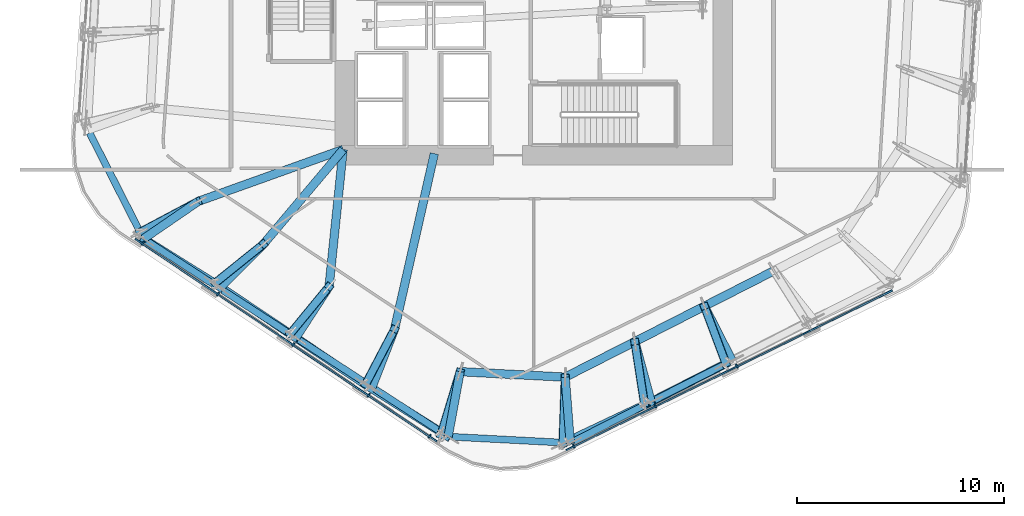
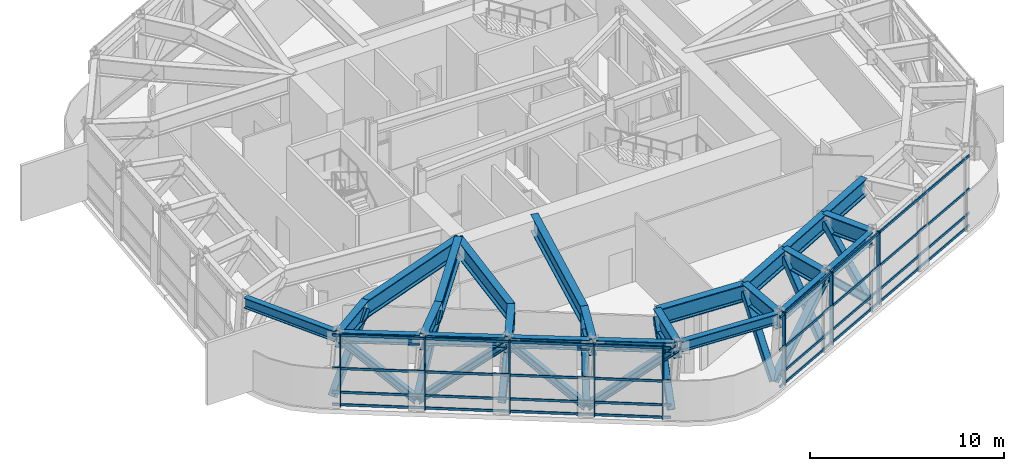
# One storey, part 2 of 14: 30 members, 24 beams, 2 elements without a shape of their own.
"""IFC4 building model written with IfcOpenShell, lengths in metres."""

from ifc_helpers import new_model, si_unit, direction, frame, origin, origin_2d, place, context, subcontext, project, spatial, rectangle, hollow_rectangle, i_section, extrude, material, layer, layer_set, material_profile, profile_set, type_object, element, aggregate, save


model = new_model("IFC4")

# Units and contexts
model_context = context("Model", 3, precision=1e-05, world=origin(), true_north=direction((0.0, 1.0)))
body_context = subcontext(model_context, "Body", "Model", "MODEL_VIEW")
ifc_project = project(units=[si_unit("LENGTHUNIT", "METRE"), si_unit("AREAUNIT", "SQUARE_METRE"), si_unit("VOLUMEUNIT", "CUBIC_METRE"), si_unit("PLANEANGLEUNIT", "RADIAN"), si_unit("MASSUNIT", "GRAM", prefix="KILO")], contexts=[model_context])

# Site, building, storey
site_placement = place(None, origin())
site = spatial("IfcSite", under=ifc_project, at=site_placement, CompositionType="ELEMENT")
building_placement = place(site_placement, origin())
building = spatial("IfcBuilding", under=site, at=building_placement, Name="Valkerne Bourse Tower", CompositionType="ELEMENT")
storey_placement = place(building_placement, frame((0.0, 0.0, 135.199951171875)))
storey = spatial("IfcBuildingStorey", under=building, at=storey_placement, Name="L34", CompositionType="ELEMENT", Elevation=135.199951171875)

# Beams
ifc_material_1 = material(Name="Steel ASTM A992", Category="steel")
ifc_material_profile_1 = material_profile(ifc_material_1, i_section(OverallWidth=0.330078125, OverallDepth=0.647705078125, WebThickness=0.0205078125, FlangeThickness=0.037109375, FilletRadius=0.020263671875, at=origin_2d()), Name="W24X192")
ifc_profile_set_1 = profile_set([ifc_material_profile_1], Name="Steel ASTM A992")
beam_type_1 = type_object("IfcBeamType", Name="BM-W24X192", PredefinedType="SPANDREL", material=ifc_profile_set_1)
beam_1_placement = place(storey_placement, frame((25.359619140625, 19.1982421875, 4.25634765625), z_axis=(0.453975075042, -0.891014383296, 0.0), x_axis=(0.891014383296, 0.453975075042, 0.0)))
element("IfcBeam", 1, at=beam_1_placement, inside=storey, type_object=beam_type_1, Name="L34 Hexagonal Spandrel Ring Beam 14", PredefinedType="SPANDREL", context=body_context, shape_type="SweptSolid", body=[
    extrude(i_section(OverallWidth=0.330078125, OverallDepth=0.647705078125, WebThickness=0.0205078125, FlangeThickness=0.037109375, FilletRadius=0.020263671875, at=origin_2d()), origin(), (0.0, 0.0, 1.0), 5.564453125),
])
for number, where, z_axis, x_axis, name in (
    (2, (28.105712890625, 13.99609375, 4.25634765625), (0.838669813652, -0.544640196524, 0.0), (0.544640196524, 0.838669813652, 0.0), "L34 Hexagonal Spandrel Ring Beam 15"),
    (3, (31.781494140625, 11.60888671875, 4.25634765625), (0.838669813652, -0.544640196524, 0.0), (0.544640196524, 0.838669813652, 0.0), "L34 Hexagonal Spandrel Ring Beam 16"),
    (4, (35.45751953125, 9.2216796875, 4.25634765625), (0.838669813652, -0.544640196524, 0.0), (0.544640196524, 0.838669813652, 0.0), "L34 Hexagonal Spandrel Ring Beam 17"),
    (5, (39.13330078125, 6.834716796875, 4.25634765625), (0.838642229816, -0.544682669423, 0.0), (0.544682669423, 0.838642229816, 0.0), "L34 Hexagonal Spandrel Ring Beam 18"),
):
    element("IfcBeam", number, at=place(storey_placement, frame(where, z_axis=z_axis, x_axis=x_axis)), inside=storey, type_object=beam_type_1, Name=name, PredefinedType="SPANDREL", context=body_context, shape_type="SweptSolid", body=[
        extrude(i_section(OverallWidth=0.330078125, OverallDepth=0.647705078125, WebThickness=0.0205078125, FlangeThickness=0.037109375, FilletRadius=0.020263671875, at=origin_2d()), origin(), (0.0, 0.0, 1.0), 4.04296875),
    ])
beam_2_placement = place(storey_placement, frame((42.83642578125, 4.531005859375, 4.25634765625), z_axis=(0.998631491115, -0.052298613304, 0.0), x_axis=(0.052298613304, 0.998631491115, 0.0)))
element("IfcBeam", 6, at=beam_2_placement, inside=storey, type_object=beam_type_1, Name="L34 Hexagonal Spandrel Ring Beam 19", PredefinedType="SPANDREL", context=body_context, shape_type="SweptSolid", body=[
    extrude(i_section(OverallWidth=0.330078125, OverallDepth=0.647705078125, WebThickness=0.0205078125, FlangeThickness=0.037109375, FilletRadius=0.020263671875, at=origin_2d()), origin(), (0.0, 0.0, 1.0), 5.564453125),
])
for number, where, z_axis, x_axis, name in (
    (7, (48.714599609375, 4.30810546875, 4.25634765625), (0.890983269344, 0.454036137052, 0.0), (-0.454036137052, 0.890983269344, 0.0), "L34 Hexagonal Spandrel Ring Beam 20"),
    (8, (52.619873046875, 6.298095703125, 4.25634765625), (0.891007696859, 0.453988198237, 0.0), (-0.453988198237, 0.891007696859, 0.0), "L34 Hexagonal Spandrel Ring Beam 21"),
):
    element("IfcBeam", number, at=place(storey_placement, frame(where, z_axis=z_axis, x_axis=x_axis)), inside=storey, type_object=beam_type_1, Name=name, PredefinedType="SPANDREL", context=body_context, shape_type="SweptSolid", body=[
        extrude(i_section(OverallWidth=0.330078125, OverallDepth=0.647705078125, WebThickness=0.0205078125, FlangeThickness=0.037109375, FilletRadius=0.020263671875, at=origin_2d()), origin(), (0.0, 0.0, 1.0), 4.04296875),
    ])
ifc_material_2 = material(Name="Steel ASTM A913 Grade 65", Category="steel")
ifc_material_profile_2 = material_profile(ifc_material_2, i_section(OverallWidth=0.408935546875, OverallDepth=1.06689453125, WebThickness=0.031005859375, FlangeThickness=0.055908203125, FilletRadius=0.030517578125, at=origin_2d()), Name="W40X397")
ifc_profile_set_2 = profile_set([ifc_material_profile_2], Name="Steel ASTM A913 Grade 65")
beam_type_2 = type_object("IfcBeamType", Name="BM-W40X397", PredefinedType="BEAM", material=ifc_profile_set_2)
beam_3_placement = place(storey_placement, frame((27.962890625, 14.088623046875, 4.046630859375), z_axis=(0.824831878517, 0.565378078972, 0.0), x_axis=(-0.565378078972, 0.824831878517, 0.0)))
element("IfcBeam", 9, at=beam_3_placement, inside=storey, type_object=beam_type_2, Name="L34 Radial Setback Transfer Girder Out 15", PredefinedType="BEAM", context=body_context, shape_type="SweptSolid", body=[
    extrude(i_section(OverallWidth=0.408935546875, OverallDepth=1.06689453125, WebThickness=0.031005859375, FlangeThickness=0.055908203125, FilletRadius=0.030517578125, at=origin_2d()), origin(), (0.0, 0.0, 1.0), 3.18896484375),
])
beam_4_placement = place(storey_placement, frame((30.59326171875, 15.8916015625, 4.046630859375), z_axis=(0.941492278336, 0.337034552879, 0.0), x_axis=(-0.337034552879, 0.941492278336, 0.0)))
element("IfcBeam", 10, at=beam_4_placement, inside=storey, type_object=beam_type_2, Name="L34 Radial Setback Transfer Girder In 15", PredefinedType="BEAM", context=body_context, shape_type="SweptSolid", body=[
    extrude(i_section(OverallWidth=0.408935546875, OverallDepth=1.06689453125, WebThickness=0.031005859375, FlangeThickness=0.055908203125, FilletRadius=0.030517578125, at=origin_2d()), origin(), (0.0, 0.0, 1.0), 7.4423828125),
])
beam_5_placement = place(storey_placement, frame((31.638916015625, 11.701416015625, 4.046630859375), z_axis=(0.703892986432, 0.710306035207, 0.0), x_axis=(-0.710306035207, 0.703892986432, 0.0)))
element("IfcBeam", 11, at=beam_5_placement, inside=storey, type_object=beam_type_2, Name="L34 Radial Setback Transfer Girder Out 16", PredefinedType="BEAM", context=body_context, shape_type="SweptSolid", body=[
    extrude(i_section(OverallWidth=0.408935546875, OverallDepth=1.06689453125, WebThickness=0.031005859375, FlangeThickness=0.055908203125, FilletRadius=0.030517578125, at=origin_2d()), origin(), (0.0, 0.0, 1.0), 3.007568359375),
])
beam_6_placement = place(storey_placement, frame((33.755859375, 13.837646484375, 4.046630859375), z_axis=(0.644365068318, 0.764718025635, 0.0), x_axis=(-0.764718025635, 0.644365068318, 0.0)))
element("IfcBeam", 12, at=beam_6_placement, inside=storey, type_object=beam_type_2, Name="L34 Radial Setback Transfer Girder In 16", PredefinedType="BEAM", context=body_context, shape_type="SweptSolid", body=[
    extrude(i_section(OverallWidth=0.408935546875, OverallDepth=1.06689453125, WebThickness=0.031005859375, FlangeThickness=0.055908203125, FilletRadius=0.030517578125, at=origin_2d()), origin(), (0.0, 0.0, 1.0), 5.9658203125),
])
beam_7_placement = place(storey_placement, frame((35.314697265625, 9.314453125, 4.046630859375), z_axis=(0.544691034166, 0.83863679701, 0.0), x_axis=(-0.83863679701, 0.544691034166, 0.0)))
element("IfcBeam", 13, at=beam_7_placement, inside=storey, type_object=beam_type_2, Name="L34 Radial Setback Transfer Girder Out 17", PredefinedType="BEAM", context=body_context, shape_type="SweptSolid", body=[
    extrude(i_section(OverallWidth=0.408935546875, OverallDepth=1.06689453125, WebThickness=0.031005859375, FlangeThickness=0.055908203125, FilletRadius=0.030517578125, at=origin_2d()), origin(), (0.0, 0.0, 1.0), 2.9443359375),
])
beam_8_placement = place(storey_placement, frame((36.91845703125, 11.78369140625, 4.046630859375), z_axis=(0.10248337019, 0.994734717819, 0.0), x_axis=(-0.994734717819, 0.10248337019, 0.0)))
element("IfcBeam", 14, at=beam_8_placement, inside=storey, type_object=beam_type_2, Name="L34 Radial Setback Transfer Girder In 17", PredefinedType="BEAM", context=body_context, shape_type="SweptSolid", body=[
    extrude(i_section(OverallWidth=0.408935546875, OverallDepth=1.06689453125, WebThickness=0.031005859375, FlangeThickness=0.055908203125, FilletRadius=0.030517578125, at=origin_2d()), origin(), (0.0, 0.0, 1.0), 6.651123046875),
])
beam_9_placement = place(storey_placement, frame((38.99072265625, 6.92724609375, 4.046630859375), z_axis=(0.36255595142, 0.931962006785, 0.0), x_axis=(-0.931962006785, 0.36255595142, 0.0)))
element("IfcBeam", 15, at=beam_9_placement, inside=storey, type_object=beam_type_2, Name="L34 Radial Setback Transfer Girder Out 18", PredefinedType="BEAM", context=body_context, shape_type="SweptSolid", body=[
    extrude(i_section(OverallWidth=0.408935546875, OverallDepth=1.06689453125, WebThickness=0.031005859375, FlangeThickness=0.055908203125, FilletRadius=0.030517578125, at=origin_2d()), origin(), (0.0, 0.0, 1.0), 3.00732421875),
])
beam_10_placement = place(storey_placement, frame((40.0810546875, 9.72998046875, 4.046630859375), z_axis=(0.220958850839, 0.975283131319, 0.0), x_axis=(-0.975283131319, 0.220958850839, 0.0)))
element("IfcBeam", 16, at=beam_10_placement, inside=storey, type_object=beam_type_2, Name="L34 Radial Setback Transfer Girder In 18", PredefinedType="BEAM", context=body_context, shape_type="SweptSolid", body=[
    extrude(i_section(OverallWidth=0.408935546875, OverallDepth=1.06689453125, WebThickness=0.031005859375, FlangeThickness=0.055908203125, FilletRadius=0.030517578125, at=origin_2d()), origin(), (0.0, 0.0, 1.0), 8.6845703125),
])
beam_11_placement = place(storey_placement, frame((42.66650390625, 4.5400390625, 4.046630859375), z_axis=(0.181000680629, 0.983482970677, 0.0), x_axis=(-0.983482970677, 0.181000680629, 0.0)))
element("IfcBeam", 17, at=beam_11_placement, inside=storey, type_object=beam_type_2, Name="L34 Radial Setback Transfer Girder Out 19", PredefinedType="BEAM", context=body_context, shape_type="SweptSolid", body=[
    extrude(i_section(OverallWidth=0.408935546875, OverallDepth=1.06689453125, WebThickness=0.031005859375, FlangeThickness=0.055908203125, FilletRadius=0.030517578125, at=origin_2d()), origin(), (0.0, 0.0, 1.0), 3.188720703125),
])
beam_12_placement = place(storey_placement, frame((43.24365234375, 7.676025390625, 4.046630859375), z_axis=(0.998632129734, -0.052286417572, 0.0), x_axis=(0.052286417572, 0.998632129734, 0.0)))
element("IfcBeam", 18, at=beam_12_placement, inside=storey, type_object=beam_type_2, Name="L34 Setback Ring Transfer Girder 19", PredefinedType="BEAM", context=body_context, shape_type="SweptSolid", body=[
    extrude(i_section(OverallWidth=0.408935546875, OverallDepth=1.06689453125, WebThickness=0.031005859375, FlangeThickness=0.055908203125, FilletRadius=0.030517578125, at=origin_2d()), origin(), (0.0, 0.0, 1.0), 5.080078125),
])
beam_13_placement = place(storey_placement, frame((48.56298828125, 4.23095703125, 4.046630859375), z_axis=(-0.077170700925, 0.997017894984, 0.0), x_axis=(-0.997017894984, -0.077170700925, 0.0)))
element("IfcBeam", 19, at=beam_13_placement, inside=storey, type_object=beam_type_2, Name="L34 Radial Setback Transfer Girder Out 20", PredefinedType="BEAM", context=body_context, shape_type="SweptSolid", body=[
    extrude(i_section(OverallWidth=0.408935546875, OverallDepth=1.06689453125, WebThickness=0.031005859375, FlangeThickness=0.055908203125, FilletRadius=0.030517578125, at=origin_2d()), origin(), (0.0, 0.0, 1.0), 3.18896484375),
])
beam_14_placement = place(storey_placement, frame((48.31689453125, 7.410400390625, 4.046630859375), z_axis=(0.891022204047, 0.453959724971, 0.0), x_axis=(-0.453959724971, 0.891022204047, 0.0)))
element("IfcBeam", 20, at=beam_14_placement, inside=storey, type_object=beam_type_2, Name="L34 Setback Ring Transfer Girder 20", PredefinedType="BEAM", context=body_context, shape_type="SweptSolid", body=[
    extrude(i_section(OverallWidth=0.408935546875, OverallDepth=1.06689453125, WebThickness=0.031005859375, FlangeThickness=0.055908203125, FilletRadius=0.030517578125, at=origin_2d()), origin(), (0.0, 0.0, 1.0), 3.77099609375),
])
beam_15_placement = place(storey_placement, frame((52.46826171875, 6.220947265625, 4.046630859375), z_axis=(-0.263110536548, 0.964765694642, 0.0), x_axis=(-0.964765694642, -0.263110536548, 0.0)))
element("IfcBeam", 21, at=beam_15_placement, inside=storey, type_object=beam_type_2, Name="L34 Radial Setback Transfer Girder Out 21", PredefinedType="BEAM", context=body_context, shape_type="SweptSolid", body=[
    extrude(i_section(OverallWidth=0.408935546875, OverallDepth=1.06689453125, WebThickness=0.031005859375, FlangeThickness=0.055908203125, FilletRadius=0.030517578125, at=origin_2d()), origin(), (0.0, 0.0, 1.0), 3.00732421875),
])
beam_16_placement = place(storey_placement, frame((51.677001953125, 9.122314453125, 4.046630859375), z_axis=(0.891008861226, 0.453985913015, 0.0), x_axis=(-0.453985913015, 0.891008861226, 0.0)))
element("IfcBeam", 22, at=beam_16_placement, inside=storey, type_object=beam_type_2, Name="L34 Setback Ring Transfer Girder 21", PredefinedType="BEAM", context=body_context, shape_type="SweptSolid", body=[
    extrude(i_section(OverallWidth=0.408935546875, OverallDepth=1.06689453125, WebThickness=0.031005859375, FlangeThickness=0.055908203125, FilletRadius=0.030517578125, at=origin_2d()), origin(), (0.0, 0.0, 1.0), 3.770751953125),
])
beam_17_placement = place(storey_placement, frame((56.37353515625, 8.210693359375, 4.046630859375), z_axis=(-0.453966770373, 0.891018614507, 0.0), x_axis=(-0.891018614507, -0.453966770373, 0.0)))
element("IfcBeam", 23, at=beam_17_placement, inside=storey, type_object=beam_type_2, Name="L34 Radial Setback Transfer Girder Out 22", PredefinedType="BEAM", context=body_context, shape_type="SweptSolid", body=[
    extrude(i_section(OverallWidth=0.408935546875, OverallDepth=1.06689453125, WebThickness=0.031005859375, FlangeThickness=0.055908203125, FilletRadius=0.030517578125, at=origin_2d()), origin(), (0.0, 0.0, 1.0), 2.9443359375),
])
beam_18_placement = place(storey_placement, frame((55.036865234375, 10.834228515625, 4.046630859375), z_axis=(0.890982671154, 0.454037310915, 0.0), x_axis=(-0.454037310915, 0.890982671154, 0.0)))
element("IfcBeam", 24, at=beam_18_placement, inside=storey, type_object=beam_type_2, Name="L34 Setback Ring Transfer Girder 22", PredefinedType="BEAM", context=body_context, shape_type="SweptSolid", body=[
    extrude(i_section(OverallWidth=0.408935546875, OverallDepth=1.06689453125, WebThickness=0.031005859375, FlangeThickness=0.055908203125, FilletRadius=0.030517578125, at=origin_2d()), origin(), (0.0, 0.0, 1.0), 3.77099609375),
])

# Curtain wall, members
ifc_material_3 = material(Name="Aluminium AA 6063-T6", Category="aluminium")
ifc_layer = layer(ifc_material_3, 0.25)
ifc_layer_set = layer_set([ifc_layer], Name="Aluminium AA 6063-T6")
curtain_wall_type = type_object("IfcCurtainWallType", Name="CW-06", PredefinedType="NOTDEFINED", material=ifc_layer_set)
curtain_wall_1_placement = place(storey_placement, origin())
curtain_wall_1 = element("IfcCurtainWall", 25, at=curtain_wall_1_placement, inside=storey, type_object=curtain_wall_type, Name="L34 Hexagonal Stick Curtain Wall Face 4", PredefinedType="NOTDEFINED")
ifc_material_profile_3 = material_profile(ifc_material_3, rectangle(XDim=0.074951171875, YDim=0.199951171875, at=origin_2d()), Name="CWM-75X200")
ifc_profile_set_3 = profile_set([ifc_material_profile_3], Name="Aluminium AA 6063-T6")
member_type_1 = type_object("IfcMemberType", Name="CW-MUL-220X75", PredefinedType="MULLION", material=ifc_profile_set_3)
member_1_placement = place(storey_placement, frame((27.92138671875, 13.86962890625, 0.0), z_axis=(0.0, 0.0, 1.0), x_axis=(0.830015933895, -0.557739678955, 0.0)))
member_1 = element("IfcMember", 26, at=member_1_placement, type_object=member_type_1, Name="CW-L34-F4 Jamb Mullion 00A", PredefinedType="MULLION", context=body_context, shape_type="SweptSolid", body=[
    extrude(rectangle(XDim=0.074951171875, YDim=0.199951171875, at=origin_2d()), origin(), (0.0, 0.0, 1.0), 4.580078125),
])
member_2_placement = place(storey_placement, frame((31.5595703125, 11.425048828125, 0.0), z_axis=(0.0, 0.0, 1.0), x_axis=(0.830008836501, -0.557750240996, 0.0)))
member_2 = element("IfcMember", 27, at=member_2_placement, type_object=member_type_1, Name="CW-L34-F4 Jamb Mullion 01A", PredefinedType="MULLION", context=body_context, shape_type="SweptSolid", body=[
    extrude(rectangle(XDim=0.074951171875, YDim=0.199951171875, at=origin_2d()), origin(), (0.0, 0.0, 1.0), 4.580078125),
])
member_3_placement = place(storey_placement, frame((35.197509765625, 8.98046875, 0.0), z_axis=(0.0, 0.0, 1.0), x_axis=(0.830015933895, -0.557739678955, 0.0)))
member_3 = element("IfcMember", 28, at=member_3_placement, type_object=member_type_1, Name="CW-L34-F4 Jamb Mullion 02A", PredefinedType="MULLION", context=body_context, shape_type="SweptSolid", body=[
    extrude(rectangle(XDim=0.074951171875, YDim=0.199951171875, at=origin_2d()), origin(), (0.0, 0.0, 1.0), 4.580078125),
])
member_4_placement = place(storey_placement, frame((38.83544921875, 6.535888671875, 0.0), z_axis=(0.0, 0.0, 1.0), x_axis=(0.830008836501, -0.557750240996, 0.0)))
member_4 = element("IfcMember", 29, at=member_4_placement, type_object=member_type_1, Name="CW-L34-F4 Jamb Mullion 03A", PredefinedType="MULLION", context=body_context, shape_type="SweptSolid", body=[
    extrude(rectangle(XDim=0.074951171875, YDim=0.199951171875, at=origin_2d()), origin(), (0.0, 0.0, 1.0), 4.580078125),
])
member_5_placement = place(storey_placement, frame((41.776123046875, 4.559814453125, 0.0), z_axis=(0.0, 0.0, 1.0), x_axis=(0.830008836501, -0.557750240996, 0.0)))
member_5 = element("IfcMember", 30, at=member_5_placement, type_object=member_type_1, Name="CW-L34-F4 Jamb Mullion 03B", PredefinedType="MULLION", context=body_context, shape_type="SweptSolid", body=[
    extrude(rectangle(XDim=0.074951171875, YDim=0.199951171875, at=origin_2d()), origin(), (0.0, 0.0, 1.0), 4.580078125),
])

curtain_wall_2_placement = place(storey_placement, origin())
curtain_wall_2 = element("IfcCurtainWall", 31, at=curtain_wall_2_placement, inside=storey, type_object=curtain_wall_type, Name="L34 Hexagonal Stick Curtain Wall Face 5", PredefinedType="NOTDEFINED")
member_6_placement = place(storey_placement, frame((48.73193359375, 4.08544921875, 0.0), z_axis=(0.0, 0.0, 1.0), x_axis=(0.898025366762, 0.439943678955, 0.0)))
member_6 = element("IfcMember", 32, at=member_6_placement, type_object=member_type_1, Name="CW-L34-F5 Jamb Mullion 00A", PredefinedType="MULLION", context=body_context, shape_type="SweptSolid", body=[
    extrude(rectangle(XDim=0.074951171875, YDim=0.199951171875, at=origin_2d()), origin(), (0.0, 0.0, 1.0), 4.580078125),
])
member_7_placement = place(storey_placement, frame((52.668212890625, 6.013916015625, 0.0), z_axis=(0.0, 0.0, 1.0), x_axis=(0.898029964785, 0.439934293216, 0.0)))
member_7 = element("IfcMember", 33, at=member_7_placement, type_object=member_type_1, Name="CW-L34-F5 Jamb Mullion 01A", PredefinedType="MULLION", context=body_context, shape_type="SweptSolid", body=[
    extrude(rectangle(XDim=0.074951171875, YDim=0.199951171875, at=origin_2d()), origin(), (0.0, 0.0, 1.0), 4.580078125),
])
member_8_placement = place(storey_placement, frame((56.60400390625, 7.94189453125, 0.0), z_axis=(0.0, 0.0, 1.0), x_axis=(0.898025366762, 0.439943678955, 0.0)))
member_8 = element("IfcMember", 34, at=member_8_placement, type_object=member_type_1, Name="CW-L34-F5 Jamb Mullion 02A", PredefinedType="MULLION", context=body_context, shape_type="SweptSolid", body=[
    extrude(rectangle(XDim=0.074951171875, YDim=0.199951171875, at=origin_2d()), origin(), (0.0, 0.0, 1.0), 4.580078125),
])

# Member
ifc_material_profile_4 = material_profile(ifc_material_3, rectangle(XDim=0.074951171875, YDim=0.14990234375, at=origin_2d()), Name="CWT-75X150")
ifc_profile_set_4 = profile_set([ifc_material_profile_4], Name="Aluminium AA 6063-T6")
member_type_2 = type_object("IfcMemberType", Name="CW-TRN-180X65", PredefinedType="USERDEFINED", material=ifc_profile_set_4)
member_9_placement = place(storey_placement, frame((27.561767578125, 14.08740234375, 0.1201171875), z_axis=(0.830007294275, -0.557752536031, 0.0), x_axis=(0.557752536031, 0.830007294275, 0.0)))
member_9 = element("IfcMember", 35, at=member_9_placement, type_object=member_type_2, Name="CW-L34-F4 Continuous Face Transom 1", ObjectType="TRANSOM", PredefinedType="USERDEFINED", context=body_context, shape_type="SweptSolid", body=[
    extrude(rectangle(XDim=0.074951171875, YDim=0.14990234375, at=origin_2d()), origin(), (0.0, 0.0, 1.0), 17.531982421875),
])

member_10_placement = place(storey_placement, frame((27.561767578125, 14.08740234375, 0.900146484375), z_axis=(0.830007294275, -0.557752536031, 0.0), x_axis=(0.557752536031, 0.830007294275, 0.0)))
member_10 = element("IfcMember", 36, at=member_10_placement, type_object=member_type_2, Name="CW-L34-F4 Continuous Face Transom 2", ObjectType="TRANSOM", PredefinedType="USERDEFINED", context=body_context, shape_type="SweptSolid", body=[
    extrude(rectangle(XDim=0.074951171875, YDim=0.14990234375, at=origin_2d()), origin(), (0.0, 0.0, 1.0), 17.531982421875),
])

member_11_placement = place(storey_placement, frame((27.561767578125, 14.08740234375, 2.400146484375), z_axis=(0.830007294275, -0.557752536031, 0.0), x_axis=(0.557752536031, 0.830007294275, 0.0)))
member_11 = element("IfcMember", 37, at=member_11_placement, type_object=member_type_2, Name="CW-L34-F4 Continuous Face Transom 3", ObjectType="TRANSOM", PredefinedType="USERDEFINED", context=body_context, shape_type="SweptSolid", body=[
    extrude(rectangle(XDim=0.074951171875, YDim=0.14990234375, at=origin_2d()), origin(), (0.0, 0.0, 1.0), 17.531982421875),
])

member_12_placement = place(storey_placement, frame((27.561767578125, 14.08740234375, 4.5), z_axis=(0.830007294275, -0.557752536031, 0.0), x_axis=(0.557752536031, 0.830007294275, 0.0)))
member_12 = element("IfcMember", 38, at=member_12_placement, type_object=member_type_2, Name="CW-L34-F4 Continuous Face Transom 4", ObjectType="TRANSOM", PredefinedType="USERDEFINED", context=body_context, shape_type="SweptSolid", body=[
    extrude(rectangle(XDim=0.074951171875, YDim=0.14990234375, at=origin_2d()), origin(), (0.0, 0.0, 1.0), 17.531982421875),
])

aggregate(curtain_wall_1, [member_9, member_10, member_11, member_12, member_1, member_2, member_3, member_4, member_5])

member_13_placement = place(storey_placement, frame((48.363525390625, 3.8828125, 0.1201171875), z_axis=(0.898026668604, 0.439941021588, 0.0), x_axis=(-0.439941021588, 0.898026668604, 0.0)))
member_13 = element("IfcMember", 39, at=member_13_placement, type_object=member_type_2, Name="CW-L34-F5 Continuous Face Transom 1", ObjectType="TRANSOM", PredefinedType="USERDEFINED", context=body_context, shape_type="SweptSolid", body=[
    extrude(rectangle(XDim=0.074951171875, YDim=0.14990234375, at=origin_2d()), origin(), (0.0, 0.0, 1.0), 17.5322265625),
])

member_14_placement = place(storey_placement, frame((48.363525390625, 3.8828125, 0.900146484375), z_axis=(0.898026668604, 0.439941021588, 0.0), x_axis=(-0.439941021588, 0.898026668604, 0.0)))
member_14 = element("IfcMember", 40, at=member_14_placement, type_object=member_type_2, Name="CW-L34-F5 Continuous Face Transom 2", ObjectType="TRANSOM", PredefinedType="USERDEFINED", context=body_context, shape_type="SweptSolid", body=[
    extrude(rectangle(XDim=0.074951171875, YDim=0.14990234375, at=origin_2d()), origin(), (0.0, 0.0, 1.0), 17.5322265625),
])

member_15_placement = place(storey_placement, frame((48.363525390625, 3.8828125, 2.400146484375), z_axis=(0.898026668604, 0.439941021588, 0.0), x_axis=(-0.439941021588, 0.898026668604, 0.0)))
member_15 = element("IfcMember", 41, at=member_15_placement, type_object=member_type_2, Name="CW-L34-F5 Continuous Face Transom 3", ObjectType="TRANSOM", PredefinedType="USERDEFINED", context=body_context, shape_type="SweptSolid", body=[
    extrude(rectangle(XDim=0.074951171875, YDim=0.14990234375, at=origin_2d()), origin(), (0.0, 0.0, 1.0), 17.5322265625),
])

member_16_placement = place(storey_placement, frame((48.363525390625, 3.8828125, 4.5), z_axis=(0.898026668604, 0.439941021588, 0.0), x_axis=(-0.439941021588, 0.898026668604, 0.0)))
member_16 = element("IfcMember", 42, at=member_16_placement, type_object=member_type_2, Name="CW-L34-F5 Continuous Face Transom 4", ObjectType="TRANSOM", PredefinedType="USERDEFINED", context=body_context, shape_type="SweptSolid", body=[
    extrude(rectangle(XDim=0.074951171875, YDim=0.14990234375, at=origin_2d()), origin(), (0.0, 0.0, 1.0), 17.5322265625),
])

aggregate(curtain_wall_2, [member_13, member_14, member_15, member_16, member_6, member_7, member_8])

# Members
ifc_material_4 = material(Name="Steel ASTM A500 Grade C", Category="steel")
ifc_material_profile_5 = material_profile(ifc_material_4, hollow_rectangle(XDim=0.39990234375, YDim=0.39990234375, WallThickness=0.01611328125, OuterFilletRadius=0.031982421875, at=origin_2d()), Name="HSS400X400X16")
ifc_profile_set_5 = profile_set([ifc_material_profile_5], Name="Steel ASTM A500 Grade C")
member_type_3 = type_object("IfcMemberType", Name="MBR-HSS400X400X16", PredefinedType="BRACE", material=ifc_profile_set_5)
member_17_placement = place(storey_placement, frame((27.762451171875, 14.385986328125, 0.35009765625), z_axis=(0.578503370415, 0.307686958633, 0.755422124316), x_axis=(-0.469580139913, 0.882889852812, 0.0)))
element("IfcMember", 43, at=member_17_placement, inside=storey, type_object=member_type_3, Name="L34 Setback Outrigger Knee Strut 15", PredefinedType="BRACE", context=body_context, shape_type="SweptSolid", body=[
    extrude(hollow_rectangle(XDim=0.39990234375, YDim=0.39990234375, WallThickness=0.01611328125, OuterFilletRadius=0.031982421875, at=origin_2d()), origin(), (0.0, 0.0, 1.0), 4.893310546875),
])
member_18_placement = place(storey_placement, frame((31.400390625, 11.94140625, 0.35009765625), z_axis=(0.493208689154, 0.397051398078, 0.774012516841), x_axis=(-0.627084688857, 0.778951085115, 0.0)))
element("IfcMember", 44, at=member_18_placement, inside=storey, type_object=member_type_3, Name="L34 Setback Outrigger Knee Strut 16", PredefinedType="BRACE", context=body_context, shape_type="SweptSolid", body=[
    extrude(hollow_rectangle(XDim=0.39990234375, YDim=0.39990234375, WallThickness=0.01611328125, OuterFilletRadius=0.031982421875, at=origin_2d()), origin(), (0.0, 0.0, 1.0), 4.77587890625),
])
member_19_placement = place(storey_placement, frame((35.038330078125, 9.496826171875, 0.35009765625), z_axis=(0.396992533899, 0.482876128429, 0.780530314993), x_axis=(-0.772456051339, 0.635068223697, 0.0)))
element("IfcMember", 45, at=member_19_placement, inside=storey, type_object=member_type_3, Name="L34 Setback Outrigger Knee Strut 17", PredefinedType="BRACE", context=body_context, shape_type="SweptSolid", body=[
    extrude(hollow_rectangle(XDim=0.39990234375, YDim=0.39990234375, WallThickness=0.01611328125, OuterFilletRadius=0.031982421875, at=origin_2d()), origin(), (0.0, 0.0, 1.0), 4.73583984375),
])
member_20_placement = place(storey_placement, frame((38.676513671875, 7.05224609375, 0.35009765625), z_axis=(0.29410131674, 0.560699329395, 0.774028860901), x_axis=(-0.885570638341, 0.46450473034, 0.0)))
element("IfcMember", 46, at=member_20_placement, inside=storey, type_object=member_type_3, Name="L34 Setback Outrigger Knee Strut 18", PredefinedType="BRACE", context=body_context, shape_type="SweptSolid", body=[
    extrude(hollow_rectangle(XDim=0.39990234375, YDim=0.39990234375, WallThickness=0.01611328125, OuterFilletRadius=0.031982421875, at=origin_2d()), origin(), (0.0, 0.0, 1.0), 4.775634765625),
])
member_21_placement = place(storey_placement, frame((42.314208984375, 4.607666015625, 0.35009765625), z_axis=(0.189947322045, 0.627070644462, 0.755448490436), x_axis=(-0.957055781169, 0.289903831867, 0.0)))
element("IfcMember", 47, at=member_21_placement, inside=storey, type_object=member_type_3, Name="L34 Setback Outrigger Knee Strut 19", PredefinedType="BRACE", context=body_context, shape_type="SweptSolid", body=[
    extrude(hollow_rectangle(XDim=0.39990234375, YDim=0.39990234375, WallThickness=0.01611328125, OuterFilletRadius=0.031982421875, at=origin_2d()), origin(), (0.0, 0.0, 1.0), 4.89306640625),
])
member_22_placement = place(storey_placement, frame((48.205078125, 4.2060546875, 0.35009765625), z_axis=(0.022850773332, 0.654839301259, 0.755422617933), x_axis=(-0.999391716643, 0.034874011903, 0.0)))
element("IfcMember", 48, at=member_22_placement, inside=storey, type_object=member_type_3, Name="L34 Setback Outrigger Knee Strut 20", PredefinedType="BRACE", context=body_context, shape_type="SweptSolid", body=[
    extrude(hollow_rectangle(XDim=0.39990234375, YDim=0.39990234375, WallThickness=0.01611328125, OuterFilletRadius=0.031982421875, at=origin_2d()), origin(), (0.0, 0.0, 1.0), 4.893310546875),
])
member_23_placement = place(storey_placement, frame((52.141357421875, 6.134521484375, 0.35009765625), z_axis=(-0.097233859709, 0.625629850222, 0.774036734941), x_axis=(-0.988137171395, -0.153573860107, 0.0)))
element("IfcMember", 49, at=member_23_placement, inside=storey, type_object=member_type_3, Name="L34 Setback Outrigger Knee Strut 21", PredefinedType="BRACE", context=body_context, shape_type="SweptSolid", body=[
    extrude(hollow_rectangle(XDim=0.39990234375, YDim=0.39990234375, WallThickness=0.01611328125, OuterFilletRadius=0.031982421875, at=origin_2d()), origin(), (0.0, 0.0, 1.0), 4.775634765625),
])
member_24_placement = place(storey_placement, frame((56.077392578125, 8.0625, 0.35009765625), z_axis=(-0.219706736727, 0.585248846096, 0.780520812009), x_axis=(-0.936203728748, -0.351457790181, 0.0)))
element("IfcMember", 50, at=member_24_placement, inside=storey, type_object=member_type_3, Name="L34 Setback Outrigger Knee Strut 22", PredefinedType="BRACE", context=body_context, shape_type="SweptSolid", body=[
    extrude(hollow_rectangle(XDim=0.39990234375, YDim=0.39990234375, WallThickness=0.01611328125, OuterFilletRadius=0.031982421875, at=origin_2d()), origin(), (0.0, 0.0, 1.0), 4.736083984375),
])
ifc_material_profile_6 = material_profile(ifc_material_2, i_section(OverallWidth=0.40380859375, OverallDepth=0.406494140625, WebThickness=0.027099609375, FlangeThickness=0.043701171875, FilletRadius=0.025390625, at=origin_2d()), Name="W14X233")
ifc_profile_set_6 = profile_set([ifc_material_profile_6], Name="Steel ASTM A913 Grade 65")
member_type_4 = type_object("IfcMemberType", Name="MBR-W14X233", PredefinedType="BRACE", material=ifc_profile_set_6)
member_25_placement = place(storey_placement, frame((31.400390625, 11.94140625, 0.35009765625), z_axis=(-0.612663957023, 0.382697407814, 0.691509631038), x_axis=(-0.529782341093, -0.848133639862, 0.0)))
element("IfcMember", 51, at=member_25_placement, inside=storey, type_object=member_type_4, Name="L34 Perimeter Belt Truss Diagonal 15", PredefinedType="BRACE", context=body_context, shape_type="SweptSolid", body=[
    extrude(i_section(OverallWidth=0.40380859375, OverallDepth=0.406494140625, WebThickness=0.027099609375, FlangeThickness=0.043701171875, FilletRadius=0.025390625, at=origin_2d()), origin(), (0.0, 0.0, 1.0), 5.61083984375),
])
member_26_placement = place(storey_placement, frame((31.400390625, 11.94140625, 0.35009765625), z_axis=(0.641119820815, -0.430265656581, 0.635481581263), x_axis=(0.557255180923, 0.830341293285, 0.0)))
element("IfcMember", 52, at=member_26_placement, inside=storey, type_object=member_type_4, Name="L34 Perimeter Belt Truss Diagonal 16", PredefinedType="BRACE", context=body_context, shape_type="SweptSolid", body=[
    extrude(i_section(OverallWidth=0.40380859375, OverallDepth=0.406494140625, WebThickness=0.027099609375, FlangeThickness=0.043701171875, FilletRadius=0.025390625, at=origin_2d()), origin(), (0.0, 0.0, 1.0), 6.10546875),
])
member_27_placement = place(storey_placement, frame((38.676513671875, 7.05224609375, 0.35009765625), z_axis=(-0.599246827586, 0.403240457837, 0.691592635004), x_axis=(-0.558282270363, -0.829651075211, 0.0)))
element("IfcMember", 53, at=member_27_placement, inside=storey, type_object=member_type_4, Name="L34 Perimeter Belt Truss Diagonal 17", PredefinedType="BRACE", context=body_context, shape_type="SweptSolid", body=[
    extrude(i_section(OverallWidth=0.40380859375, OverallDepth=0.406494140625, WebThickness=0.027099609375, FlangeThickness=0.043701171875, FilletRadius=0.025390625, at=origin_2d()), origin(), (0.0, 0.0, 1.0), 5.610107421875),
])
member_28_placement = place(storey_placement, frame((38.676513671875, 7.05224609375, 0.35009765625), z_axis=(0.653441216238, -0.411424470115, 0.635408909531), x_axis=(0.532811896357, 0.846233704777, 0.0)))
element("IfcMember", 54, at=member_28_placement, inside=storey, type_object=member_type_4, Name="L34 Perimeter Belt Truss Diagonal 18", PredefinedType="BRACE", context=body_context, shape_type="SweptSolid", body=[
    extrude(i_section(OverallWidth=0.40380859375, OverallDepth=0.406494140625, WebThickness=0.027099609375, FlangeThickness=0.043701171875, FilletRadius=0.025390625, at=origin_2d()), origin(), (0.0, 0.0, 1.0), 6.106201171875),
])
member_29_placement = place(storey_placement, frame((48.205078125, 4.2060546875, 0.35009765625), z_axis=(0.698151043381, 0.329964526459, 0.635380619712), x_axis=(-0.427304980624, 0.904107545336, 0.0)))
element("IfcMember", 55, at=member_29_placement, inside=storey, type_object=member_type_4, Name="L34 Perimeter Belt Truss Diagonal 20", PredefinedType="BRACE", context=body_context, shape_type="SweptSolid", body=[
    extrude(i_section(OverallWidth=0.40380859375, OverallDepth=0.406494140625, WebThickness=0.027099609375, FlangeThickness=0.043701171875, FilletRadius=0.025390625, at=origin_2d()), origin(), (0.0, 0.0, 1.0), 6.1064453125),
])
member_30_placement = place(storey_placement, frame((56.077392578125, 8.0625, 0.35009765625), z_axis=(-0.643353831871, -0.328270172076, 0.691617337219), x_axis=(0.454501563962, -0.890745939287, 0.0)))
element("IfcMember", 56, at=member_30_placement, inside=storey, type_object=member_type_4, Name="L34 Perimeter Belt Truss Diagonal 21", PredefinedType="BRACE", context=body_context, shape_type="SweptSolid", body=[
    extrude(i_section(OverallWidth=0.40380859375, OverallDepth=0.406494140625, WebThickness=0.027099609375, FlangeThickness=0.043701171875, FilletRadius=0.025390625, at=origin_2d()), origin(), (0.0, 0.0, 1.0), 5.60986328125),
])

save(model, "model.ifc")
